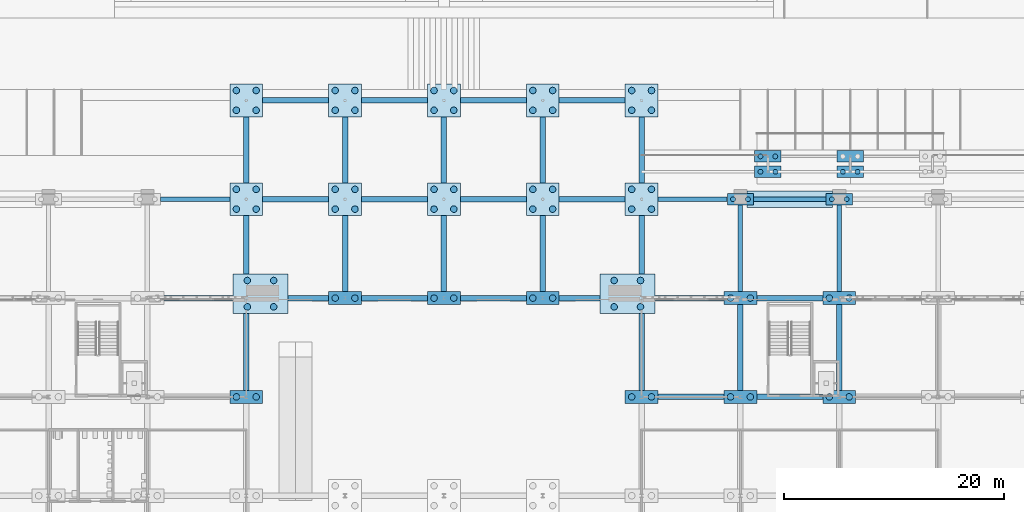
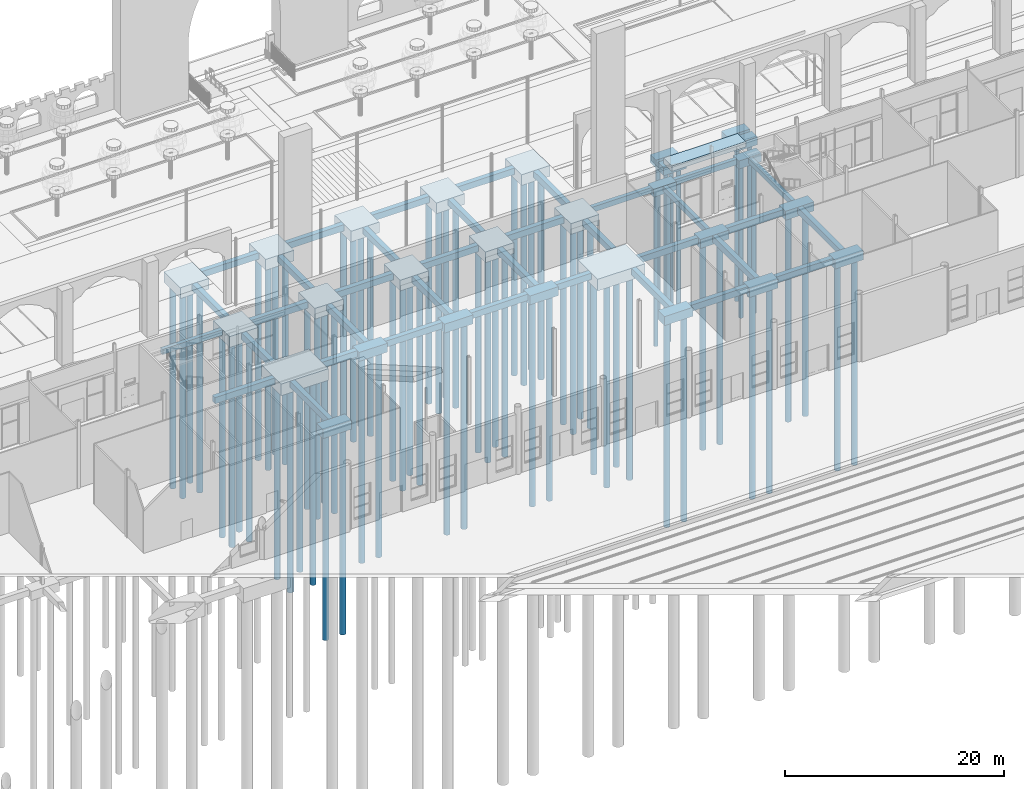
# One storey, part 5 of 250: 76 piles, 64 footings.
"""IFC4 building model written with IfcOpenShell, lengths in metres."""

from ifc_helpers import new_model, si_unit, direction, frame, origin, origin_2d, place, context, subcontext, project, spatial, rectangle, circle, extrude, material, type_object, element, save


model = new_model("IFC4")

# Units and contexts
model_context = context("Model", 3, precision=1e-05, world=origin(), true_north=direction((0.0, 1.0)))
body_context = subcontext(model_context, "Body", "Model", "MODEL_VIEW")
ifc_project = project(units=[si_unit("LENGTHUNIT", "METRE"), si_unit("AREAUNIT", "SQUARE_METRE"), si_unit("VOLUMEUNIT", "CUBIC_METRE"), si_unit("PLANEANGLEUNIT", "RADIAN"), si_unit("MASSUNIT", "GRAM", prefix="KILO")], contexts=[model_context])

# Site, building, storey
site_placement = place(None, origin())
site = spatial("IfcSite", under=ifc_project, at=site_placement, CompositionType="ELEMENT")
building_placement = place(site_placement, origin())
building = spatial("IfcBuilding", under=site, at=building_placement, Name="Baradari Gate Terminus", CompositionType="ELEMENT")
storey_placement = place(building_placement, origin())
storey = spatial("IfcBuildingStorey", under=building, at=storey_placement, Name="L00", CompositionType="ELEMENT", Elevation=0.0)

# Piles
ifc_material_1 = material(Name="Concrete C32/40", Category="concrete")
pile_type_1 = type_object("IfcPileType", Name="Bored pile BP2 D600", PredefinedType="BORED", material=ifc_material_1)
for number, where, z_axis, x_axis, name in (
    (1, (134.10009765625, 99.0, -3.0), (0.0, 0.0, -1.0), (1.0, 0.0, 0.0), "Bored pile BP2 at 16-M (1)"),
    (2, (135.89990234375, 99.0, -3.0), (0.0, 0.0, -1.0), (1.0, 0.0, 0.0), "Bored pile BP2 at 16-M (2)"),
):
    element("IfcPile", number, at=place(storey_placement, frame(where, z_axis=z_axis, x_axis=x_axis)), inside=storey, type_object=pile_type_1, Name=name, PredefinedType="BORED", context=body_context, shape_type="SweptSolid", body=[
        extrude(circle(Radius=0.300048828125, at=origin_2d()), origin(), (0.0, 0.0, 1.0), 23.0),
    ])
for number, where, z_axis, x_axis, name in (
    (3, (135.10009765625, 107.199951171875, -3.300048828125), (0.0, 0.0, -1.0), (1.0, 0.0, 0.0), "Bored pile BP2 at 16-N (1)"),
    (4, (137.5, 107.199951171875, -3.300048828125), (0.0, 0.0, -1.0), (1.0, 0.0, 0.0), "Bored pile BP2 at 16-N (2)"),
    (5, (135.10009765625, 109.60009765625, -3.300048828125), (0.0, 0.0, -1.0), (1.0, 0.0, 0.0), "Bored pile BP2 at 16-N (3)"),
    (6, (137.5, 109.60009765625, -3.300048828125), (0.0, 0.0, -1.0), (1.0, 0.0, 0.0), "Bored pile BP2 at 16-N (4)"),
):
    element("IfcPile", number, at=place(storey_placement, frame(where, z_axis=z_axis, x_axis=x_axis)), inside=storey, type_object=pile_type_1, Name=name, PredefinedType="BORED", context=body_context, shape_type="SweptSolid", body=[
        extrude(circle(Radius=0.300048828125, at=origin_2d()), origin(), (0.0, 0.0, 1.0), 22.699951171875),
    ])
for number, where, z_axis, x_axis, name in (
    (7, (134.10009765625, 116.10009765625, -3.199951171875), (0.0, 0.0, -1.0), (1.0, 0.0, 0.0), "Bored pile BP2 at 16-P (1)"),
    (8, (135.89990234375, 116.10009765625, -3.199951171875), (0.0, 0.0, -1.0), (1.0, 0.0, 0.0), "Bored pile BP2 at 16-P (2)"),
    (9, (134.10009765625, 117.89990234375, -3.199951171875), (0.0, 0.0, -1.0), (1.0, 0.0, 0.0), "Bored pile BP2 at 16-P (3)"),
    (10, (135.89990234375, 117.89990234375, -3.199951171875), (0.0, 0.0, -1.0), (1.0, 0.0, 0.0), "Bored pile BP2 at 16-P (4)"),
    (11, (134.10009765625, 125.10009765625, -3.199951171875), (0.0, 0.0, -1.0), (1.0, 0.0, 0.0), "Bored pile BP2 at 16-Q (1)"),
    (12, (135.89990234375, 125.10009765625, -3.199951171875), (0.0, 0.0, -1.0), (1.0, 0.0, 0.0), "Bored pile BP2 at 16-Q (2)"),
    (13, (134.10009765625, 126.89990234375, -3.199951171875), (0.0, 0.0, -1.0), (1.0, 0.0, 0.0), "Bored pile BP2 at 16-Q (3)"),
    (14, (135.89990234375, 126.89990234375, -3.199951171875), (0.0, 0.0, -1.0), (1.0, 0.0, 0.0), "Bored pile BP2 at 16-Q (4)"),
):
    element("IfcPile", number, at=place(storey_placement, frame(where, z_axis=z_axis, x_axis=x_axis)), inside=storey, type_object=pile_type_1, Name=name, PredefinedType="BORED", context=body_context, shape_type="SweptSolid", body=[
        extrude(circle(Radius=0.300048828125, at=origin_2d()), origin(), (0.0, 0.0, 1.0), 22.800048828125),
    ])
for number, where, z_axis, x_axis, name in (
    (15, (143.10009765625, 108.0, -3.0), (0.0, 0.0, -1.0), (1.0, 0.0, 0.0), "Bored pile BP2 at 17-N (1)"),
    (16, (144.89990234375, 108.0, -3.0), (0.0, 0.0, -1.0), (1.0, 0.0, 0.0), "Bored pile BP2 at 17-N (2)"),
):
    element("IfcPile", number, at=place(storey_placement, frame(where, z_axis=z_axis, x_axis=x_axis)), inside=storey, type_object=pile_type_1, Name=name, PredefinedType="BORED", context=body_context, shape_type="SweptSolid", body=[
        extrude(circle(Radius=0.300048828125, at=origin_2d()), origin(), (0.0, 0.0, 1.0), 23.0),
    ])
for number, where, z_axis, x_axis, name in (
    (17, (143.10009765625, 116.10009765625, -3.199951171875), (0.0, 0.0, -1.0), (1.0, 0.0, 0.0), "Bored pile BP2 at 17-P (1)"),
    (18, (144.89990234375, 116.10009765625, -3.199951171875), (0.0, 0.0, -1.0), (1.0, 0.0, 0.0), "Bored pile BP2 at 17-P (2)"),
    (19, (143.10009765625, 117.89990234375, -3.199951171875), (0.0, 0.0, -1.0), (1.0, 0.0, 0.0), "Bored pile BP2 at 17-P (3)"),
    (20, (144.89990234375, 117.89990234375, -3.199951171875), (0.0, 0.0, -1.0), (1.0, 0.0, 0.0), "Bored pile BP2 at 17-P (4)"),
    (21, (143.10009765625, 125.10009765625, -3.199951171875), (0.0, 0.0, -1.0), (1.0, 0.0, 0.0), "Bored pile BP2 at 17-Q (1)"),
    (22, (144.89990234375, 125.10009765625, -3.199951171875), (0.0, 0.0, -1.0), (1.0, 0.0, 0.0), "Bored pile BP2 at 17-Q (2)"),
    (23, (143.10009765625, 126.89990234375, -3.199951171875), (0.0, 0.0, -1.0), (1.0, 0.0, 0.0), "Bored pile BP2 at 17-Q (3)"),
    (24, (144.89990234375, 126.89990234375, -3.199951171875), (0.0, 0.0, -1.0), (1.0, 0.0, 0.0), "Bored pile BP2 at 17-Q (4)"),
):
    element("IfcPile", number, at=place(storey_placement, frame(where, z_axis=z_axis, x_axis=x_axis)), inside=storey, type_object=pile_type_1, Name=name, PredefinedType="BORED", context=body_context, shape_type="SweptSolid", body=[
        extrude(circle(Radius=0.300048828125, at=origin_2d()), origin(), (0.0, 0.0, 1.0), 22.800048828125),
    ])
for number, where, z_axis, x_axis, name in (
    (25, (152.10009765625, 108.0, -3.0), (0.0, 0.0, -1.0), (1.0, 0.0, 0.0), "Bored pile BP2 at 18-N (1)"),
    (26, (153.89990234375, 108.0, -3.0), (0.0, 0.0, -1.0), (1.0, 0.0, 0.0), "Bored pile BP2 at 18-N (2)"),
):
    element("IfcPile", number, at=place(storey_placement, frame(where, z_axis=z_axis, x_axis=x_axis)), inside=storey, type_object=pile_type_1, Name=name, PredefinedType="BORED", context=body_context, shape_type="SweptSolid", body=[
        extrude(circle(Radius=0.300048828125, at=origin_2d()), origin(), (0.0, 0.0, 1.0), 23.0),
    ])
for number, where, z_axis, x_axis, name in (
    (27, (152.10009765625, 116.10009765625, -3.199951171875), (0.0, 0.0, -1.0), (1.0, 0.0, 0.0), "Bored pile BP2 at 18-P (1)"),
    (28, (153.89990234375, 116.10009765625, -3.199951171875), (0.0, 0.0, -1.0), (1.0, 0.0, 0.0), "Bored pile BP2 at 18-P (2)"),
    (29, (152.10009765625, 117.89990234375, -3.199951171875), (0.0, 0.0, -1.0), (1.0, 0.0, 0.0), "Bored pile BP2 at 18-P (3)"),
    (30, (153.89990234375, 117.89990234375, -3.199951171875), (0.0, 0.0, -1.0), (1.0, 0.0, 0.0), "Bored pile BP2 at 18-P (4)"),
):
    element("IfcPile", number, at=place(storey_placement, frame(where, z_axis=z_axis, x_axis=x_axis)), inside=storey, type_object=pile_type_1, Name=name, PredefinedType="BORED", context=body_context, shape_type="SweptSolid", body=[
        extrude(circle(Radius=0.300048828125, at=origin_2d()), origin(), (0.0, 0.0, 1.0), 22.800048828125),
    ])
for number, where, z_axis, x_axis, name in (
    (31, (161.10009765625, 108.0, -3.0), (0.0, 0.0, -1.0), (1.0, 0.0, 0.0), "Bored pile BP2 at 19-N (1)"),
    (32, (162.89990234375, 108.0, -3.0), (0.0, 0.0, -1.0), (1.0, 0.0, 0.0), "Bored pile BP2 at 19-N (2)"),
):
    element("IfcPile", number, at=place(storey_placement, frame(where, z_axis=z_axis, x_axis=x_axis)), inside=storey, type_object=pile_type_1, Name=name, PredefinedType="BORED", context=body_context, shape_type="SweptSolid", body=[
        extrude(circle(Radius=0.300048828125, at=origin_2d()), origin(), (0.0, 0.0, 1.0), 23.0),
    ])
for number, where, z_axis, x_axis, name in (
    (33, (161.10009765625, 116.10009765625, -3.199951171875), (0.0, 0.0, -1.0), (1.0, 0.0, 0.0), "Bored pile BP2 at 19-P (1)"),
    (34, (162.89990234375, 116.10009765625, -3.199951171875), (0.0, 0.0, -1.0), (1.0, 0.0, 0.0), "Bored pile BP2 at 19-P (2)"),
    (35, (161.10009765625, 117.89990234375, -3.199951171875), (0.0, 0.0, -1.0), (1.0, 0.0, 0.0), "Bored pile BP2 at 19-P (3)"),
    (36, (162.89990234375, 117.89990234375, -3.199951171875), (0.0, 0.0, -1.0), (1.0, 0.0, 0.0), "Bored pile BP2 at 19-P (4)"),
    (37, (161.10009765625, 125.10009765625, -3.199951171875), (0.0, 0.0, -1.0), (1.0, 0.0, 0.0), "Bored pile BP2 at 19-Q (1)"),
    (38, (162.89990234375, 125.10009765625, -3.199951171875), (0.0, 0.0, -1.0), (1.0, 0.0, 0.0), "Bored pile BP2 at 19-Q (2)"),
    (39, (161.10009765625, 126.89990234375, -3.199951171875), (0.0, 0.0, -1.0), (1.0, 0.0, 0.0), "Bored pile BP2 at 19-Q (3)"),
    (40, (162.89990234375, 126.89990234375, -3.199951171875), (0.0, 0.0, -1.0), (1.0, 0.0, 0.0), "Bored pile BP2 at 19-Q (4)"),
):
    element("IfcPile", number, at=place(storey_placement, frame(where, z_axis=z_axis, x_axis=x_axis)), inside=storey, type_object=pile_type_1, Name=name, PredefinedType="BORED", context=body_context, shape_type="SweptSolid", body=[
        extrude(circle(Radius=0.300048828125, at=origin_2d()), origin(), (0.0, 0.0, 1.0), 22.800048828125),
    ])
for number, where, z_axis, x_axis, name in (
    (41, (170.10009765625, 99.0, -3.0), (0.0, 0.0, -1.0), (1.0, 0.0, 0.0), "Bored pile BP2 at 20-M (1)"),
    (42, (171.89990234375, 99.0, -3.0), (0.0, 0.0, -1.0), (1.0, 0.0, 0.0), "Bored pile BP2 at 20-M (2)"),
):
    element("IfcPile", number, at=place(storey_placement, frame(where, z_axis=z_axis, x_axis=x_axis)), inside=storey, type_object=pile_type_1, Name=name, PredefinedType="BORED", context=body_context, shape_type="SweptSolid", body=[
        extrude(circle(Radius=0.300048828125, at=origin_2d()), origin(), (0.0, 0.0, 1.0), 23.0),
    ])
for number, where, z_axis, x_axis, name in (
    (43, (168.5, 107.199951171875, -3.300048828125), (0.0, 0.0, -1.0), (1.0, 0.0, 0.0), "Bored pile BP2 at 20-N (1)"),
    (44, (170.89990234375, 107.199951171875, -3.300048828125), (0.0, 0.0, -1.0), (1.0, 0.0, 0.0), "Bored pile BP2 at 20-N (2)"),
    (45, (168.5, 109.60009765625, -3.300048828125), (0.0, 0.0, -1.0), (1.0, 0.0, 0.0), "Bored pile BP2 at 20-N (3)"),
    (46, (170.89990234375, 109.60009765625, -3.300048828125), (0.0, 0.0, -1.0), (1.0, 0.0, 0.0), "Bored pile BP2 at 20-N (4)"),
):
    element("IfcPile", number, at=place(storey_placement, frame(where, z_axis=z_axis, x_axis=x_axis)), inside=storey, type_object=pile_type_1, Name=name, PredefinedType="BORED", context=body_context, shape_type="SweptSolid", body=[
        extrude(circle(Radius=0.300048828125, at=origin_2d()), origin(), (0.0, 0.0, 1.0), 22.699951171875),
    ])
for number, where, z_axis, x_axis, name in (
    (47, (170.10009765625, 116.10009765625, -3.199951171875), (0.0, 0.0, -1.0), (1.0, 0.0, 0.0), "Bored pile BP2 at 20-P (1)"),
    (48, (171.89990234375, 116.10009765625, -3.199951171875), (0.0, 0.0, -1.0), (1.0, 0.0, 0.0), "Bored pile BP2 at 20-P (2)"),
    (49, (170.10009765625, 117.89990234375, -3.199951171875), (0.0, 0.0, -1.0), (1.0, 0.0, 0.0), "Bored pile BP2 at 20-P (3)"),
    (50, (171.89990234375, 117.89990234375, -3.199951171875), (0.0, 0.0, -1.0), (1.0, 0.0, 0.0), "Bored pile BP2 at 20-P (4)"),
    (51, (170.10009765625, 125.10009765625, -3.199951171875), (0.0, 0.0, -1.0), (1.0, 0.0, 0.0), "Bored pile BP2 at 20-Q (1)"),
    (52, (171.89990234375, 125.10009765625, -3.199951171875), (0.0, 0.0, -1.0), (1.0, 0.0, 0.0), "Bored pile BP2 at 20-Q (2)"),
    (53, (170.10009765625, 126.89990234375, -3.199951171875), (0.0, 0.0, -1.0), (1.0, 0.0, 0.0), "Bored pile BP2 at 20-Q (3)"),
    (54, (171.89990234375, 126.89990234375, -3.199951171875), (0.0, 0.0, -1.0), (1.0, 0.0, 0.0), "Bored pile BP2 at 20-Q (4)"),
):
    element("IfcPile", number, at=place(storey_placement, frame(where, z_axis=z_axis, x_axis=x_axis)), inside=storey, type_object=pile_type_1, Name=name, PredefinedType="BORED", context=body_context, shape_type="SweptSolid", body=[
        extrude(circle(Radius=0.300048828125, at=origin_2d()), origin(), (0.0, 0.0, 1.0), 22.800048828125),
    ])
for number, where, z_axis, x_axis, name in (
    (55, (179.10009765625, 99.0, -3.0), (0.0, 0.0, -1.0), (1.0, 0.0, 0.0), "Bored pile BP2 at 21-M (1)"),
    (56, (180.89990234375, 99.0, -3.0), (0.0, 0.0, -1.0), (1.0, 0.0, 0.0), "Bored pile BP2 at 21-M (2)"),
    (57, (179.10009765625, 108.0, -3.0), (0.0, 0.0, -1.0), (1.0, 0.0, 0.0), "Bored pile BP2 at 21-N (1)"),
    (58, (180.89990234375, 108.0, -3.0), (0.0, 0.0, -1.0), (1.0, 0.0, 0.0), "Bored pile BP2 at 21-N (2)"),
    (59, (188.10009765625, 99.0, -3.0), (0.0, 0.0, -1.0), (1.0, 0.0, 0.0), "Bored pile BP2 at 22-M (1)"),
    (60, (189.89990234375, 99.0, -3.0), (0.0, 0.0, -1.0), (1.0, 0.0, 0.0), "Bored pile BP2 at 22-M (2)"),
    (61, (188.10009765625, 108.0, -3.0), (0.0, 0.0, -1.0), (1.0, 0.0, 0.0), "Bored pile BP2 at 22-N (1)"),
    (62, (189.89990234375, 108.0, -3.0), (0.0, 0.0, -1.0), (1.0, 0.0, 0.0), "Bored pile BP2 at 22-N (2)"),
):
    element("IfcPile", number, at=place(storey_placement, frame(where, z_axis=z_axis, x_axis=x_axis)), inside=storey, type_object=pile_type_1, Name=name, PredefinedType="BORED", context=body_context, shape_type="SweptSolid", body=[
        extrude(circle(Radius=0.300048828125, at=origin_2d()), origin(), (0.0, 0.0, 1.0), 23.0),
    ])
for number, where, z_axis, x_axis, name in (
    (63, (152.10009765625, 125.10009765625, -3.199951171875), (0.0, 0.0, -1.0), (1.0, 0.0, 0.0), "Bored pile BP2 at 18-Q (1)"),
    (64, (153.89990234375, 125.10009765625, -3.199951171875), (0.0, 0.0, -1.0), (1.0, 0.0, 0.0), "Bored pile BP2 at 18-Q (2)"),
    (65, (152.10009765625, 126.89990234375, -3.199951171875), (0.0, 0.0, -1.0), (1.0, 0.0, 0.0), "Bored pile BP2 at 18-Q (3)"),
    (66, (153.89990234375, 126.89990234375, -3.199951171875), (0.0, 0.0, -1.0), (1.0, 0.0, 0.0), "Bored pile BP2 at 18-Q (4)"),
):
    element("IfcPile", number, at=place(storey_placement, frame(where, z_axis=z_axis, x_axis=x_axis)), inside=storey, type_object=pile_type_1, Name=name, PredefinedType="BORED", context=body_context, shape_type="SweptSolid", body=[
        extrude(circle(Radius=0.300048828125, at=origin_2d()), origin(), (0.0, 0.0, 1.0), 22.800048828125),
    ])
ifc_material_2 = material(Name="Concrete C32/40", Category="concrete")
pile_type_2 = type_object("IfcPileType", Name="Bored pile BP4 D450", PredefinedType="BORED", material=ifc_material_2)
for number, where, z_axis, x_axis, name in (
    (67, (179.324951171875, 117.0, -2.89990234375), (0.0, 0.0, -1.0), (1.0, 0.0, 0.0), "Bored pile BP4 at 21-P (1)"),
    (68, (180.675048828125, 117.0, -2.89990234375), (0.0, 0.0, -1.0), (1.0, 0.0, 0.0), "Bored pile BP4 at 21-P (2)"),
    (69, (188.324951171875, 117.0, -2.89990234375), (0.0, 0.0, -1.0), (1.0, 0.0, 0.0), "Bored pile BP4 at 22-P (1)"),
    (70, (189.675048828125, 117.0, -2.89990234375), (0.0, 0.0, -1.0), (1.0, 0.0, 0.0), "Bored pile BP4 at 22-P (2)"),
    (71, (181.824951171875, 119.5, -2.89990234375), (0.0, 0.0, -1.0), (1.0, 0.0, 0.0), "Bored pile BP4 at TS-C01 (1)"),
    (72, (183.175048828125, 119.5, -2.89990234375), (0.0, 0.0, -1.0), (1.0, 0.0, 0.0), "Bored pile BP4 at TS-C01 (2)"),
    (73, (189.324951171875, 119.5, -2.89990234375), (0.0, 0.0, -1.0), (1.0, 0.0, 0.0), "Bored pile BP4 at TS-C02 (1)"),
    (74, (190.675048828125, 119.5, -2.89990234375), (0.0, 0.0, -1.0), (1.0, 0.0, 0.0), "Bored pile BP4 at TS-C02 (2)"),
    (75, (181.824951171875, 120.89990234375, -2.89990234375), (0.0, 0.0, -1.0), (1.0, 0.0, 0.0), "Bored pile BP4 at TS-C04 (1)"),
    (76, (183.175048828125, 120.89990234375, -2.89990234375), (0.0, 0.0, -1.0), (1.0, 0.0, 0.0), "Bored pile BP4 at TS-C04 (2)"),
):
    element("IfcPile", number, at=place(storey_placement, frame(where, z_axis=z_axis, x_axis=x_axis)), inside=storey, type_object=pile_type_2, Name=name, PredefinedType="BORED", context=body_context, shape_type="SweptSolid", body=[
        extrude(circle(Radius=0.22509765625, at=origin_2d()), origin(), (0.0, 0.0, 1.0), 17.10009765625),
    ])

# Footings
ifc_material_3 = material(Name="Concrete C32/40", Category="concrete")
footing_type_1 = type_object("IfcFootingType", Name="Ground beam TG1 500x700", PredefinedType="FOOTING_BEAM", material=ifc_material_3)
for number, where, z_axis, x_axis, name in (
    (77, (175.5, 99.0, -2.7998046875), (0.0, 0.0, 1.0), (1.0, 0.0, 0.0), "Ground beam TG1 line M 172.5 to 178.5"),
    (78, (184.5, 99.0, -2.7998046875), (0.0, 0.0, 1.0), (1.0, 0.0, 0.0), "Ground beam TG1 line M 181.5 to 187.5"),
):
    element("IfcFooting", number, at=place(storey_placement, frame(where, z_axis=z_axis, x_axis=x_axis)), inside=storey, type_object=footing_type_1, Name=name, PredefinedType="FOOTING_BEAM", context=body_context, shape_type="SweptSolid", body=[
        extrude(rectangle(XDim=6.0, YDim=0.5, at=origin_2d()), origin(), (0.0, 0.0, 1.0), 0.699951171875),
    ])
footing_1_placement = place(storey_placement, frame((130.64990234375, 108.0, -2.7998046875), z_axis=(0.0, 0.0, 1.0), x_axis=(1.0, 0.0, 0.0)))
element("IfcFooting", 79, at=footing_1_placement, inside=storey, type_object=footing_type_1, Name="Ground beam TG1 line N 127.5 to 133.8", PredefinedType="FOOTING_BEAM", context=body_context, shape_type="SweptSolid", body=[
    extrude(rectangle(XDim=6.300048828125, YDim=0.5, at=origin_2d()), origin(), (0.0, 0.0, 1.0), 0.699951171875),
])
footing_2_placement = place(storey_placement, frame((140.64990234375, 108.0, -2.7998046875), z_axis=(0.0, 0.0, 1.0), x_axis=(1.0, 0.0, 0.0)))
element("IfcFooting", 80, at=footing_2_placement, inside=storey, type_object=footing_type_1, Name="Ground beam TG1 line N 138.8 to 142.5", PredefinedType="FOOTING_BEAM", context=body_context, shape_type="SweptSolid", body=[
    extrude(rectangle(XDim=3.699951171875, YDim=0.5, at=origin_2d()), origin(), (0.0, 0.0, 1.0), 0.699951171875),
])
for number, where, z_axis, x_axis, name in (
    (81, (148.5, 108.0, -2.7998046875), (0.0, 0.0, 1.0), (1.0, 0.0, 0.0), "Ground beam TG1 line N 145.5 to 151.5"),
    (82, (157.5, 108.0, -2.7998046875), (0.0, 0.0, 1.0), (1.0, 0.0, 0.0), "Ground beam TG1 line N 154.5 to 160.5"),
):
    element("IfcFooting", number, at=place(storey_placement, frame(where, z_axis=z_axis, x_axis=x_axis)), inside=storey, type_object=footing_type_1, Name=name, PredefinedType="FOOTING_BEAM", context=body_context, shape_type="SweptSolid", body=[
        extrude(rectangle(XDim=6.0, YDim=0.5, at=origin_2d()), origin(), (0.0, 0.0, 1.0), 0.699951171875),
    ])
footing_3_placement = place(storey_placement, frame((165.35009765625, 108.0, -2.7998046875), z_axis=(0.0, 0.0, 1.0), x_axis=(1.0, 0.0, 0.0)))
element("IfcFooting", 83, at=footing_3_placement, inside=storey, type_object=footing_type_1, Name="Ground beam TG1 line N 163.5 to 167.2", PredefinedType="FOOTING_BEAM", context=body_context, shape_type="SweptSolid", body=[
    extrude(rectangle(XDim=3.699951171875, YDim=0.5, at=origin_2d()), origin(), (0.0, 0.0, 1.0), 0.699951171875),
])
footing_4_placement = place(storey_placement, frame((175.35009765625, 108.0, -2.7998046875), z_axis=(0.0, 0.0, 1.0), x_axis=(1.0, 0.0, 0.0)))
element("IfcFooting", 84, at=footing_4_placement, inside=storey, type_object=footing_type_1, Name="Ground beam TG1 line N 172.2 to 178.5", PredefinedType="FOOTING_BEAM", context=body_context, shape_type="SweptSolid", body=[
    extrude(rectangle(XDim=6.300048828125, YDim=0.5, at=origin_2d()), origin(), (0.0, 0.0, 1.0), 0.699951171875),
])
for number, where, z_axis, x_axis, name in (
    (85, (184.5, 108.0, -2.7998046875), (0.0, 0.0, 1.0), (1.0, 0.0, 0.0), "Ground beam TG1 line N 181.5 to 187.5"),
    (86, (139.5, 117.0, -2.7998046875), (0.0, 0.0, 1.0), (1.0, 0.0, 0.0), "Ground beam TG1 line P 136.5 to 142.5"),
    (87, (148.5, 117.0, -2.7998046875), (0.0, 0.0, 1.0), (1.0, 0.0, 0.0), "Ground beam TG1 line P 145.5 to 151.5"),
    (88, (157.5, 117.0, -2.7998046875), (0.0, 0.0, 1.0), (1.0, 0.0, 0.0), "Ground beam TG1 line P 154.5 to 160.5"),
    (89, (166.5, 117.0, -2.7998046875), (0.0, 0.0, 1.0), (1.0, 0.0, 0.0), "Ground beam TG1 line P 163.5 to 169.5"),
    (90, (139.5, 126.0, -2.7998046875), (0.0, 0.0, 1.0), (1.0, 0.0, 0.0), "Ground beam TG1 line Q 136.5 to 142.5"),
    (91, (148.5, 126.0, -2.7998046875), (0.0, 0.0, 1.0), (1.0, 0.0, 0.0), "Ground beam TG1 line Q 145.5 to 151.5"),
    (92, (157.5, 126.0, -2.7998046875), (0.0, 0.0, 1.0), (1.0, 0.0, 0.0), "Ground beam TG1 line Q 154.5 to 160.5"),
    (93, (166.5, 126.0, -2.7998046875), (0.0, 0.0, 1.0), (1.0, 0.0, 0.0), "Ground beam TG1 line Q 163.5 to 169.5"),
):
    element("IfcFooting", number, at=place(storey_placement, frame(where, z_axis=z_axis, x_axis=x_axis)), inside=storey, type_object=footing_type_1, Name=name, PredefinedType="FOOTING_BEAM", context=body_context, shape_type="SweptSolid", body=[
        extrude(rectangle(XDim=6.0, YDim=0.5, at=origin_2d()), origin(), (0.0, 0.0, 1.0), 0.699951171875),
    ])
footing_5_placement = place(storey_placement, frame((135.0, 103.10009765625, -2.7998046875), z_axis=(0.0, 0.0, 1.0), x_axis=(1.0, 0.0, 0.0)))
element("IfcFooting", 94, at=footing_5_placement, inside=storey, type_object=footing_type_1, Name="Ground beam TG1 line 16 99.6 to 106.6", PredefinedType="FOOTING_BEAM", context=body_context, shape_type="SweptSolid", body=[
    extrude(rectangle(XDim=0.5, YDim=7.0, at=origin_2d()), origin(), (0.0, 0.0, 1.0), 0.699951171875),
])
footing_6_placement = place(storey_placement, frame((135.0, 112.85009765625, -2.7998046875), z_axis=(0.0, 0.0, 1.0), x_axis=(1.0, 0.0, 0.0)))
element("IfcFooting", 95, at=footing_6_placement, inside=storey, type_object=footing_type_1, Name="Ground beam TG1 line 16 110.2 to 115.5", PredefinedType="FOOTING_BEAM", context=body_context, shape_type="SweptSolid", body=[
    extrude(rectangle(XDim=0.5, YDim=5.300048828125, at=origin_2d()), origin(), (0.0, 0.0, 1.0), 0.699951171875),
])
footing_7_placement = place(storey_placement, frame((135.0, 121.5, -2.7998046875), z_axis=(0.0, 0.0, 1.0), x_axis=(1.0, 0.0, 0.0)))
element("IfcFooting", 96, at=footing_7_placement, inside=storey, type_object=footing_type_1, Name="Ground beam TG1 line 16 118.5 to 124.5", PredefinedType="FOOTING_BEAM", context=body_context, shape_type="SweptSolid", body=[
    extrude(rectangle(XDim=0.5, YDim=6.0, at=origin_2d()), origin(), (0.0, 0.0, 1.0), 0.699951171875),
])
footing_8_placement = place(storey_placement, frame((144.0, 112.050048828125, -2.7998046875), z_axis=(0.0, 0.0, 1.0), x_axis=(1.0, 0.0, 0.0)))
element("IfcFooting", 97, at=footing_8_placement, inside=storey, type_object=footing_type_1, Name="Ground beam TG1 line 17 108.6 to 115.5", PredefinedType="FOOTING_BEAM", context=body_context, shape_type="SweptSolid", body=[
    extrude(rectangle(XDim=0.5, YDim=6.89990234375, at=origin_2d()), origin(), (0.0, 0.0, 1.0), 0.699951171875),
])
footing_9_placement = place(storey_placement, frame((144.0, 121.5, -2.7998046875), z_axis=(0.0, 0.0, 1.0), x_axis=(1.0, 0.0, 0.0)))
element("IfcFooting", 98, at=footing_9_placement, inside=storey, type_object=footing_type_1, Name="Ground beam TG1 line 17 118.5 to 124.5", PredefinedType="FOOTING_BEAM", context=body_context, shape_type="SweptSolid", body=[
    extrude(rectangle(XDim=0.5, YDim=6.0, at=origin_2d()), origin(), (0.0, 0.0, 1.0), 0.699951171875),
])
footing_10_placement = place(storey_placement, frame((153.0, 112.050048828125, -2.7998046875), z_axis=(0.0, 0.0, 1.0), x_axis=(1.0, 0.0, 0.0)))
element("IfcFooting", 99, at=footing_10_placement, inside=storey, type_object=footing_type_1, Name="Ground beam TG1 line 18 108.6 to 115.5", PredefinedType="FOOTING_BEAM", context=body_context, shape_type="SweptSolid", body=[
    extrude(rectangle(XDim=0.5, YDim=6.89990234375, at=origin_2d()), origin(), (0.0, 0.0, 1.0), 0.699951171875),
])
footing_11_placement = place(storey_placement, frame((153.0, 121.5, -2.7998046875), z_axis=(0.0, 0.0, 1.0), x_axis=(1.0, 0.0, 0.0)))
element("IfcFooting", 100, at=footing_11_placement, inside=storey, type_object=footing_type_1, Name="Ground beam TG1 line 18 118.5 to 124.5", PredefinedType="FOOTING_BEAM", context=body_context, shape_type="SweptSolid", body=[
    extrude(rectangle(XDim=0.5, YDim=6.0, at=origin_2d()), origin(), (0.0, 0.0, 1.0), 0.699951171875),
])
footing_12_placement = place(storey_placement, frame((162.0, 112.050048828125, -2.7998046875), z_axis=(0.0, 0.0, 1.0), x_axis=(1.0, 0.0, 0.0)))
element("IfcFooting", 101, at=footing_12_placement, inside=storey, type_object=footing_type_1, Name="Ground beam TG1 line 19 108.6 to 115.5", PredefinedType="FOOTING_BEAM", context=body_context, shape_type="SweptSolid", body=[
    extrude(rectangle(XDim=0.5, YDim=6.89990234375, at=origin_2d()), origin(), (0.0, 0.0, 1.0), 0.699951171875),
])
footing_13_placement = place(storey_placement, frame((162.0, 121.5, -2.7998046875), z_axis=(0.0, 0.0, 1.0), x_axis=(1.0, 0.0, 0.0)))
element("IfcFooting", 102, at=footing_13_placement, inside=storey, type_object=footing_type_1, Name="Ground beam TG1 line 19 118.5 to 124.5", PredefinedType="FOOTING_BEAM", context=body_context, shape_type="SweptSolid", body=[
    extrude(rectangle(XDim=0.5, YDim=6.0, at=origin_2d()), origin(), (0.0, 0.0, 1.0), 0.699951171875),
])
footing_14_placement = place(storey_placement, frame((171.0, 103.10009765625, -2.7998046875), z_axis=(0.0, 0.0, 1.0), x_axis=(1.0, 0.0, 0.0)))
element("IfcFooting", 103, at=footing_14_placement, inside=storey, type_object=footing_type_1, Name="Ground beam TG1 line 20 99.6 to 106.6", PredefinedType="FOOTING_BEAM", context=body_context, shape_type="SweptSolid", body=[
    extrude(rectangle(XDim=0.5, YDim=7.0, at=origin_2d()), origin(), (0.0, 0.0, 1.0), 0.699951171875),
])
footing_15_placement = place(storey_placement, frame((171.0, 112.85009765625, -2.7998046875), z_axis=(0.0, 0.0, 1.0), x_axis=(1.0, 0.0, 0.0)))
element("IfcFooting", 104, at=footing_15_placement, inside=storey, type_object=footing_type_1, Name="Ground beam TG1 line 20 110.2 to 115.5", PredefinedType="FOOTING_BEAM", context=body_context, shape_type="SweptSolid", body=[
    extrude(rectangle(XDim=0.5, YDim=5.300048828125, at=origin_2d()), origin(), (0.0, 0.0, 1.0), 0.699951171875),
])
footing_16_placement = place(storey_placement, frame((171.0, 121.5, -2.7998046875), z_axis=(0.0, 0.0, 1.0), x_axis=(1.0, 0.0, 0.0)))
element("IfcFooting", 105, at=footing_16_placement, inside=storey, type_object=footing_type_1, Name="Ground beam TG1 line 20 118.5 to 124.5", PredefinedType="FOOTING_BEAM", context=body_context, shape_type="SweptSolid", body=[
    extrude(rectangle(XDim=0.5, YDim=6.0, at=origin_2d()), origin(), (0.0, 0.0, 1.0), 0.699951171875),
])
for number, where, z_axis, x_axis, name in (
    (106, (180.0, 103.5, -2.7998046875), (0.0, 0.0, 1.0), (1.0, 0.0, 0.0), "Ground beam TG1 line 21 99.6 to 107.4"),
    (107, (189.0, 103.5, -2.7998046875), (0.0, 0.0, 1.0), (1.0, 0.0, 0.0), "Ground beam TG1 line 22 99.6 to 107.4"),
):
    element("IfcFooting", number, at=place(storey_placement, frame(where, z_axis=z_axis, x_axis=x_axis)), inside=storey, type_object=footing_type_1, Name=name, PredefinedType="FOOTING_BEAM", context=body_context, shape_type="SweptSolid", body=[
        extrude(rectangle(XDim=0.5, YDim=7.800048828125, at=origin_2d()), origin(), (0.0, 0.0, 1.0), 0.699951171875),
    ])
ifc_material_4 = material(Name="Concrete C32/40", Category="concrete")
footing_type_2 = type_object("IfcFootingType", Name="Ground beam TG2 400x600", PredefinedType="FOOTING_BEAM", material=ifc_material_4)
for number, where, z_axis, x_axis, name in (
    (108, (130.35009765625, 117.0, -2.699951171875), (0.0, 0.0, 1.0), (1.0, 0.0, 0.0), "Ground beam TG2 line P 127.2 to 133.5"),
    (109, (175.64990234375, 117.0, -2.699951171875), (0.0, 0.0, 1.0), (1.0, 0.0, 0.0), "Ground beam TG2 line P 172.5 to 178.8"),
):
    element("IfcFooting", number, at=place(storey_placement, frame(where, z_axis=z_axis, x_axis=x_axis)), inside=storey, type_object=footing_type_2, Name=name, PredefinedType="FOOTING_BEAM", context=body_context, shape_type="SweptSolid", body=[
        extrude(rectangle(XDim=6.300048828125, YDim=0.39990234375, at=origin_2d()), origin(), (0.0, 0.0, 1.0), 0.60009765625),
    ])
footing_17_placement = place(storey_placement, frame((184.5, 117.0, -2.699951171875), z_axis=(0.0, 0.0, 1.0), x_axis=(1.0, 0.0, 0.0)))
element("IfcFooting", 110, at=footing_17_placement, inside=storey, type_object=footing_type_2, Name="Ground beam TG2 line P 181.2 to 187.8", PredefinedType="FOOTING_BEAM", context=body_context, shape_type="SweptSolid", body=[
    extrude(rectangle(XDim=6.60009765625, YDim=0.39990234375, at=origin_2d()), origin(), (0.0, 0.0, 1.0), 0.60009765625),
])
for number, where, z_axis, x_axis, name in (
    (111, (180.0, 112.53759765625, -2.699951171875), (0.0, 0.0, 1.0), (1.0, 0.0, 0.0), "Ground beam TG2 line 21 108.6 to 116.47"),
    (112, (189.0, 112.53759765625, -2.699951171875), (0.0, 0.0, 1.0), (1.0, 0.0, 0.0), "Ground beam TG2 line 22 108.6 to 116.47"),
):
    element("IfcFooting", number, at=place(storey_placement, frame(where, z_axis=z_axis, x_axis=x_axis)), inside=storey, type_object=footing_type_2, Name=name, PredefinedType="FOOTING_BEAM", context=body_context, shape_type="SweptSolid", body=[
        extrude(rectangle(XDim=0.39990234375, YDim=7.875, at=origin_2d()), origin(), (0.0, 0.0, 1.0), 0.60009765625),
    ])
ifc_material_5 = material(Name="Concrete C32/40", Category="concrete")
footing_type_3 = type_object("IfcFootingType", Name="Pile cap PC4 3000x1200x1000", PredefinedType="PILE_CAP", material=ifc_material_5)
for number, where, z_axis, x_axis, name in (
    (113, (135.0, 99.0, -3.10009765625), (0.0, 0.0, 1.0), (1.0, 0.0, 0.0), "Pile cap PC4 at 16-M"),
    (114, (144.0, 108.0, -3.10009765625), (0.0, 0.0, 1.0), (1.0, 0.0, 0.0), "Pile cap PC4 at 17-N"),
    (115, (153.0, 108.0, -3.10009765625), (0.0, 0.0, 1.0), (1.0, 0.0, 0.0), "Pile cap PC4 at 18-N"),
    (116, (162.0, 108.0, -3.10009765625), (0.0, 0.0, 1.0), (1.0, 0.0, 0.0), "Pile cap PC4 at 19-N"),
    (117, (171.0, 99.0, -3.10009765625), (0.0, 0.0, 1.0), (1.0, 0.0, 0.0), "Pile cap PC4 at 20-M"),
    (118, (180.0, 99.0, -3.10009765625), (0.0, 0.0, 1.0), (1.0, 0.0, 0.0), "Pile cap PC4 at 21-M"),
    (119, (180.0, 108.0, -3.10009765625), (0.0, 0.0, 1.0), (1.0, 0.0, 0.0), "Pile cap PC4 at 21-N"),
    (120, (189.0, 99.0, -3.10009765625), (0.0, 0.0, 1.0), (1.0, 0.0, 0.0), "Pile cap PC4 at 22-M"),
    (121, (189.0, 108.0, -3.10009765625), (0.0, 0.0, 1.0), (1.0, 0.0, 0.0), "Pile cap PC4 at 22-N"),
):
    element("IfcFooting", number, at=place(storey_placement, frame(where, z_axis=z_axis, x_axis=x_axis)), inside=storey, type_object=footing_type_3, Name=name, PredefinedType="PILE_CAP", context=body_context, shape_type="SweptSolid", body=[
        extrude(rectangle(XDim=3.0, YDim=1.199951171875, at=origin_2d()), origin(), (0.0, 0.0, 1.0), 1.0),
    ])
ifc_material_6 = material(Name="Concrete C32/40", Category="concrete")
footing_type_4 = type_object("IfcFootingType", Name="Pile cap PC5 3000x3000x1200", PredefinedType="PILE_CAP", material=ifc_material_6)
for number, where, z_axis, x_axis, name in (
    (122, (135.0, 117.0, -3.2998046875), (0.0, 0.0, 1.0), (1.0, 0.0, 0.0), "Pile cap PC5 at 16-P"),
    (123, (135.0, 126.0, -3.2998046875), (0.0, 0.0, 1.0), (1.0, 0.0, 0.0), "Pile cap PC5 at 16-Q"),
    (124, (144.0, 117.0, -3.2998046875), (0.0, 0.0, 1.0), (1.0, 0.0, 0.0), "Pile cap PC5 at 17-P"),
    (125, (144.0, 126.0, -3.2998046875), (0.0, 0.0, 1.0), (1.0, 0.0, 0.0), "Pile cap PC5 at 17-Q"),
    (126, (153.0, 117.0, -3.2998046875), (0.0, 0.0, 1.0), (1.0, 0.0, 0.0), "Pile cap PC5 at 18-P"),
    (127, (162.0, 117.0, -3.2998046875), (0.0, 0.0, 1.0), (1.0, 0.0, 0.0), "Pile cap PC5 at 19-P"),
    (128, (162.0, 126.0, -3.2998046875), (0.0, 0.0, 1.0), (1.0, 0.0, 0.0), "Pile cap PC5 at 19-Q"),
    (129, (171.0, 117.0, -3.2998046875), (0.0, 0.0, 1.0), (1.0, 0.0, 0.0), "Pile cap PC5 at 20-P"),
    (130, (171.0, 126.0, -3.2998046875), (0.0, 0.0, 1.0), (1.0, 0.0, 0.0), "Pile cap PC5 at 20-Q"),
    (131, (153.0, 126.0, -3.2998046875), (0.0, 0.0, 1.0), (1.0, 0.0, 0.0), "Pile cap PC5 at 18-Q"),
):
    element("IfcFooting", number, at=place(storey_placement, frame(where, z_axis=z_axis, x_axis=x_axis)), inside=storey, type_object=footing_type_4, Name=name, PredefinedType="PILE_CAP", context=body_context, shape_type="SweptSolid", body=[
        extrude(rectangle(XDim=3.0, YDim=3.0, at=origin_2d()), origin(), (0.0, 0.0, 1.0), 1.199951171875),
    ])
ifc_material_7 = material(Name="Concrete C32/40", Category="concrete")
footing_type_5 = type_object("IfcFootingType", Name="Pile cap PC6 2400x1050x900", PredefinedType="PILE_CAP", material=ifc_material_7)
for number, where, z_axis, x_axis, name in (
    (132, (180.0, 117.0, -3.0), (0.0, 0.0, 1.0), (1.0, 0.0, 0.0), "Pile cap PC6 at 21-P"),
    (133, (189.0, 117.0, -3.0), (0.0, 0.0, 1.0), (1.0, 0.0, 0.0), "Pile cap PC6 at 22-P"),
    (134, (182.5, 119.5, -3.0), (0.0, 0.0, 1.0), (1.0, 0.0, 0.0), "Pile cap PC6 at TS-C01"),
    (135, (190.0, 119.5, -3.0), (0.0, 0.0, 1.0), (1.0, 0.0, 0.0), "Pile cap PC6 at TS-C02"),
    (136, (182.5, 120.89990234375, -3.0), (0.0, 0.0, 1.0), (1.0, 0.0, 0.0), "Pile cap PC6 at TS-C04"),
    (137, (190.0, 120.89990234375, -3.0), (0.0, 0.0, 1.0), (1.0, 0.0, 0.0), "Pile cap PC6 at TS-C05"),
):
    element("IfcFooting", number, at=place(storey_placement, frame(where, z_axis=z_axis, x_axis=x_axis)), inside=storey, type_object=footing_type_5, Name=name, PredefinedType="PILE_CAP", context=body_context, shape_type="SweptSolid", body=[
        extrude(rectangle(XDim=2.39990234375, YDim=1.050048828125, at=origin_2d()), origin(), (0.0, 0.0, 1.0), 0.89990234375),
    ])
ifc_material_8 = material(Name="Concrete C32/40", Category="concrete")
footing_type_6 = type_object("IfcFootingType", Name="Pile cap PC8 5000x3600x1300", PredefinedType="PILE_CAP", material=ifc_material_8)
for number, where, z_axis, x_axis, name in (
    (138, (136.300048828125, 108.39990234375, -3.39990234375), (0.0, 0.0, 1.0), (1.0, 0.0, 0.0), "Pile cap PC8 at 16-N"),
    (139, (169.699951171875, 108.39990234375, -3.39990234375), (0.0, 0.0, 1.0), (1.0, 0.0, 0.0), "Pile cap PC8 at 20-N"),
):
    element("IfcFooting", number, at=place(storey_placement, frame(where, z_axis=z_axis, x_axis=x_axis)), inside=storey, type_object=footing_type_6, Name=name, PredefinedType="PILE_CAP", context=body_context, shape_type="SweptSolid", body=[
        extrude(rectangle(XDim=5.0, YDim=3.60009765625, at=origin_2d()), origin(), (0.0, 0.0, 1.0), 1.300048828125),
    ])
ifc_material_9 = material(Name="Concrete C32/40", Category="concrete")
footing_type_7 = type_object("IfcFootingType", Name="Strip footing SF3 1500x600", PredefinedType="STRIP_FOOTING", material=ifc_material_9)
footing_18_placement = place(storey_placement, frame((184.5, 117.0, -0.60009765625), z_axis=(0.0, 0.0, 1.0), x_axis=(1.0, 0.0, 0.0)))
element("IfcFooting", 140, at=footing_18_placement, inside=storey, type_object=footing_type_7, Name="Arcade plinth footing 21 to 22", PredefinedType="STRIP_FOOTING", context=body_context, shape_type="SweptSolid", body=[
    extrude(rectangle(XDim=7.800048828125, YDim=1.5, at=origin_2d()), origin(), (0.0, 0.0, 1.0), 0.60009765625),
])

save(model, "model.ifc")
